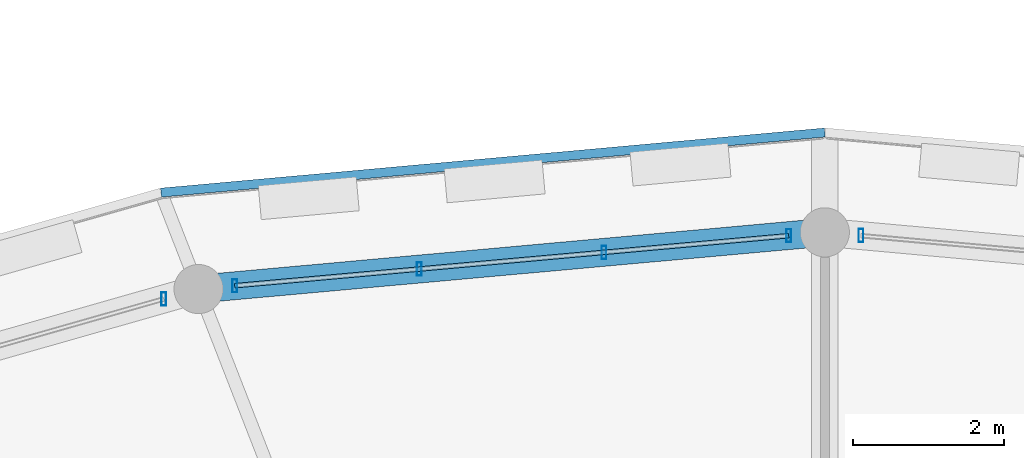
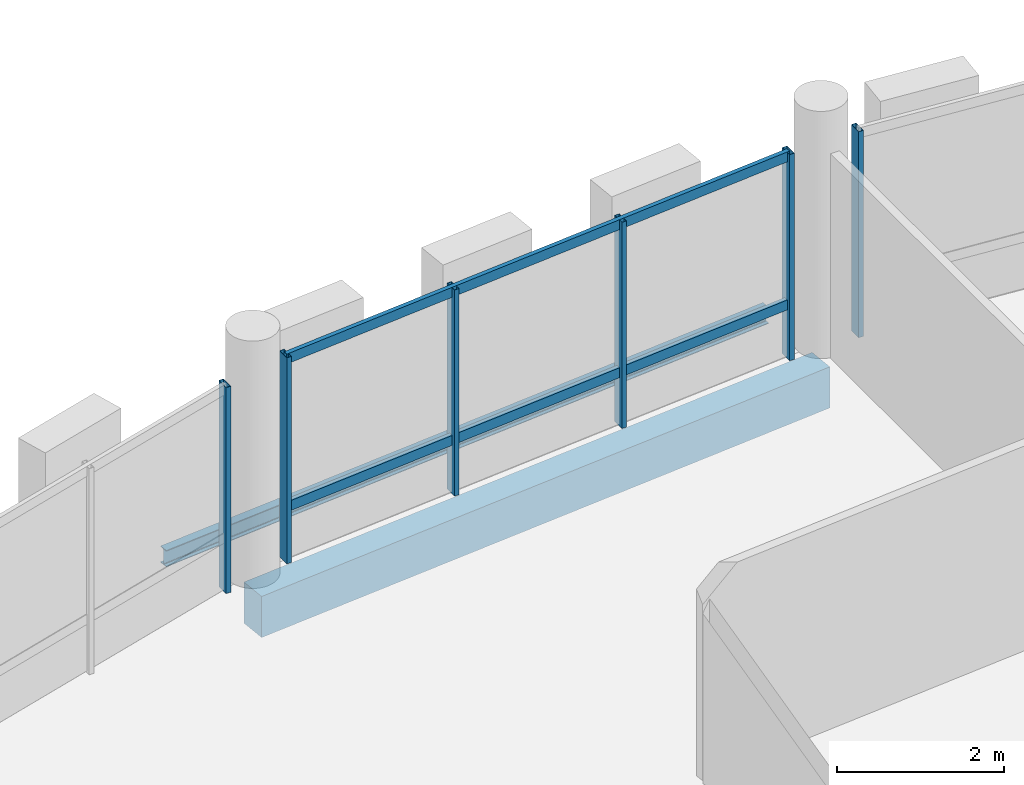
# One storey, part 45 of 93: 8 members, 2 beams, 3 elements without a shape of their own.
"""IFC4 building model written with IfcOpenShell, lengths in metres."""

from ifc_helpers import new_model, si_unit, direction, frame, origin, origin_2d, place, context, subcontext, project, spatial, rectangle, hollow_rectangle, i_section, extrude, material, material_profile, profile_set, type_object, element, aggregate, save


model = new_model("IFC4")

# Units and contexts
model_context = context("Model", 3, precision=1e-05, world=origin(), true_north=direction((0.0, 1.0)))
body_context = subcontext(model_context, "Body", "Model", "MODEL_VIEW")
ifc_project = project(units=[si_unit("LENGTHUNIT", "METRE"), si_unit("AREAUNIT", "SQUARE_METRE"), si_unit("VOLUMEUNIT", "CUBIC_METRE"), si_unit("PLANEANGLEUNIT", "RADIAN"), si_unit("MASSUNIT", "GRAM", prefix="KILO")], contexts=[model_context])

# Site, building, storey
site_placement = place(None, origin())
site = spatial("IfcSite", under=ifc_project, at=site_placement, CompositionType="ELEMENT")
building_placement = place(site_placement, origin())
building = spatial("IfcBuilding", under=site, at=building_placement, Name="Zornivar Specialist Clinic", CompositionType="ELEMENT")
storey_placement = place(building_placement, frame((0.0, 0.0, 8.39990234375)))
storey = spatial("IfcBuildingStorey", under=building, at=storey_placement, Name="L02", CompositionType="ELEMENT", Elevation=8.39990234375)

# Beams
ifc_material_1 = material(Name="Concrete C30/37", Category="concrete")
ifc_material_profile_1 = material_profile(ifc_material_1, rectangle(XDim=0.3701171875, YDim=0.60009765625, at=origin_2d()), Name="RC 370x600")
ifc_profile_set_1 = profile_set([ifc_material_profile_1], Name="Concrete C30/37")
beam_type_1 = type_object("IfcBeamType", Name="BM-RC-SPANDREL-370x600", PredefinedType="SPANDREL", material=ifc_profile_set_1)
beam_1_placement = place(storey_placement, frame((93.60009765625, 79.60009765625, -0.539794921875), z_axis=(-0.99592467027, -0.09018897465, 0.0), x_axis=(0.09018897465, -0.99592467027, 0.0)))
element("IfcBeam", 1, at=beam_1_placement, inside=storey, type_object=beam_type_1, Name="bm:V1:L02:outring:06", PredefinedType="SPANDREL", context=body_context, shape_type="SweptSolid", body=[
    extrude(rectangle(XDim=0.3701171875, YDim=0.60009765625, at=origin_2d()), origin(), (0.0, 0.0, 1.0), 8.31591796875),
])
ifc_material_2 = material(Name="Steel S355J2", Category="steel")
ifc_material_profile_2 = material_profile(ifc_material_2, i_section(OverallWidth=0.1201171875, OverallDepth=0.239990234375, WebThickness=0.006103515625, FlangeThickness=0.009765625, FilletRadius=0.014892578125, at=origin_2d()), Name="IPE 240")
ifc_profile_set_2 = profile_set([ifc_material_profile_2], Name="Steel S355J2")
beam_type_2 = type_object("IfcBeamType", Name="BM-STL-IPE240", PredefinedType="JOIST", material=ifc_profile_set_2)
beam_2_placement = place(storey_placement, frame((93.60009765625, 80.919921875, -0.35986328125), z_axis=(-0.995925605957, -0.090178641592, 0.0), x_axis=(0.090178641592, -0.995925605957, 0.0)))
element("IfcBeam", 2, at=beam_2_placement, inside=storey, type_object=beam_type_2, Name="bm:V1:L02:balring:06", PredefinedType="JOIST", context=body_context, shape_type="SweptSolid", body=[
    extrude(i_section(OverallWidth=0.1201171875, OverallDepth=0.239990234375, WebThickness=0.006103515625, FlangeThickness=0.009765625, FilletRadius=0.014892578125, at=origin_2d()), origin(), (0.0, 0.0, 1.0), 8.81494140625),
])

# Curtain wall, member
ifc_material_3 = material(Name="Aluminium and Low-E Glass Curtain Wall", Category="aluminium")
curtain_wall_type = type_object("IfcCurtainWallType", Name="CW-DRUM-FACET", PredefinedType="NOTDEFINED", material=ifc_material_3)
curtain_wall_1_placement = place(storey_placement, origin())
curtain_wall_1 = element("IfcCurtainWall", 3, at=curtain_wall_1_placement, inside=storey, type_object=curtain_wall_type, Name="cw:V1:L02:c05", PredefinedType="NOTDEFINED")
ifc_material_4 = material(Name="Aluminium AW-6060", Category="aluminium")
ifc_material_profile_3 = material_profile(ifc_material_4, hollow_rectangle(XDim=0.06494140625, YDim=0.175048828125, WallThickness=0.00439453125, at=origin_2d()), Name="ALU 65x175x4.5")
ifc_profile_set_3 = profile_set([ifc_material_profile_3], Name="Aluminium AW-6060")
member_type_1 = type_object("IfcMemberType", Name="CWM-MUL-175", PredefinedType="MULLION", material=ifc_profile_set_3)
member_1_placement = place(storey_placement, frame((94.077880859375, 79.556884765625, 0.0), z_axis=(0.0, 0.0, 1.0), x_axis=(1.0, 0.0, 0.0)))
member_1 = element("IfcMember", 4, at=member_1_placement, type_object=member_type_1, Name="cw:V1:L02:c05:mul:3", PredefinedType="MULLION", context=body_context, shape_type="SweptSolid", body=[
    extrude(hollow_rectangle(XDim=0.06494140625, YDim=0.175048828125, WallThickness=0.00439453125, at=origin_2d()), origin(), (0.0, 0.0, 1.0), 3.010009765625),
])
aggregate(curtain_wall_1, [member_1])

# Curtain wall, members
curtain_wall_2_placement = place(storey_placement, origin())
curtain_wall_2 = element("IfcCurtainWall", 5, at=curtain_wall_2_placement, inside=storey, type_object=curtain_wall_type, Name="cw:V1:L02:c06", PredefinedType="NOTDEFINED")
member_2_placement = place(storey_placement, frame((93.1220703125, 79.555908203125, 0.0), z_axis=(0.0, 0.0, 1.0), x_axis=(1.0, 0.0, 0.0)))
member_2 = element("IfcMember", 6, at=member_2_placement, type_object=member_type_1, Name="cw:V1:L02:c06:mul:0", PredefinedType="MULLION", context=body_context, shape_type="SweptSolid", body=[
    extrude(hollow_rectangle(XDim=0.06494140625, YDim=0.175048828125, WallThickness=0.00439453125, at=origin_2d()), origin(), (0.0, 0.0, 1.0), 3.010009765625),
])
member_3_placement = place(storey_placement, frame((90.679931640625, 79.3349609375, 0.0), z_axis=(0.0, 0.0, 1.0), x_axis=(1.0, 0.0, 0.0)))
member_3 = element("IfcMember", 7, at=member_3_placement, type_object=member_type_1, Name="cw:V1:L02:c06:mul:1", PredefinedType="MULLION", context=body_context, shape_type="SweptSolid", body=[
    extrude(hollow_rectangle(XDim=0.06494140625, YDim=0.175048828125, WallThickness=0.00439453125, at=origin_2d()), origin(), (0.0, 0.0, 1.0), 3.010009765625),
])
member_4_placement = place(storey_placement, frame((88.238037109375, 79.114013671875, 0.0), z_axis=(0.0, 0.0, 1.0), x_axis=(1.0, 0.0, 0.0)))
member_4 = element("IfcMember", 8, at=member_4_placement, type_object=member_type_1, Name="cw:V1:L02:c06:mul:2", PredefinedType="MULLION", context=body_context, shape_type="SweptSolid", body=[
    extrude(hollow_rectangle(XDim=0.06494140625, YDim=0.175048828125, WallThickness=0.00439453125, at=origin_2d()), origin(), (0.0, 0.0, 1.0), 3.010009765625),
])
member_5_placement = place(storey_placement, frame((85.7958984375, 78.89306640625, 0.0), z_axis=(0.0, 0.0, 1.0), x_axis=(1.0, 0.0, 0.0)))
member_5 = element("IfcMember", 9, at=member_5_placement, type_object=member_type_1, Name="cw:V1:L02:c06:mul:3", PredefinedType="MULLION", context=body_context, shape_type="SweptSolid", body=[
    extrude(hollow_rectangle(XDim=0.06494140625, YDim=0.175048828125, WallThickness=0.00439453125, at=origin_2d()), origin(), (0.0, 0.0, 1.0), 3.010009765625),
])

# Curtain wall, member
curtain_wall_3_placement = place(storey_placement, origin())
curtain_wall_3 = element("IfcCurtainWall", 10, at=curtain_wall_3_placement, inside=storey, type_object=curtain_wall_type, Name="cw:V1:L02:c07", PredefinedType="NOTDEFINED")
member_6_placement = place(storey_placement, frame((84.85693359375, 78.718994140625, 0.0), z_axis=(0.0, 0.0, 1.0), x_axis=(1.0, 0.0, 0.0)))
member_6 = element("IfcMember", 11, at=member_6_placement, type_object=member_type_1, Name="cw:V1:L02:c07:mul:0", PredefinedType="MULLION", context=body_context, shape_type="SweptSolid", body=[
    extrude(hollow_rectangle(XDim=0.06494140625, YDim=0.175048828125, WallThickness=0.00439453125, at=origin_2d()), origin(), (0.0, 0.0, 1.0), 3.010009765625),
])
aggregate(curtain_wall_3, [member_6])

# Member
ifc_material_5 = material(Name="Aluminium AW-6060", Category="aluminium")
ifc_material_profile_4 = material_profile(ifc_material_5, hollow_rectangle(XDim=0.06005859375, YDim=0.14501953125, WallThickness=0.00390625, at=origin_2d()), Name="ALU 60x145x4")
ifc_profile_set_4 = profile_set([ifc_material_profile_4], Name="Aluminium AW-6060")
member_type_2 = type_object("IfcMemberType", Name="CWM-TRN-145", PredefinedType="USERDEFINED", material=ifc_profile_set_4)
member_7_placement = place(storey_placement, frame((93.1220703125, 79.555908203125, 0.783203125), z_axis=(-0.995943921343, -0.089976138722, 0.0), x_axis=(0.089976138722, -0.995943921343, 0.0)))
member_7 = element("IfcMember", 12, at=member_7_placement, type_object=member_type_2, Name="cw:V1:L02:c06:trn:0", ObjectType="TRANSOM", PredefinedType="USERDEFINED", context=body_context, shape_type="SweptSolid", body=[
    extrude(hollow_rectangle(XDim=0.06005859375, YDim=0.14501953125, WallThickness=0.00390625, at=origin_2d()), origin(), (0.0, 0.0, 1.0), 7.35595703125),
])

member_8_placement = place(storey_placement, frame((93.1220703125, 79.555908203125, 2.945068359375), z_axis=(-0.995943921343, -0.089976138722, 0.0), x_axis=(0.089976138722, -0.995943921343, 0.0)))
member_8 = element("IfcMember", 13, at=member_8_placement, type_object=member_type_2, Name="cw:V1:L02:c06:trn:1", ObjectType="TRANSOM", PredefinedType="USERDEFINED", context=body_context, shape_type="SweptSolid", body=[
    extrude(hollow_rectangle(XDim=0.06005859375, YDim=0.14501953125, WallThickness=0.00390625, at=origin_2d()), origin(), (0.0, 0.0, 1.0), 7.35595703125),
])

aggregate(curtain_wall_2, [member_2, member_3, member_4, member_5, member_7, member_8])

save(model, "model.ifc")
